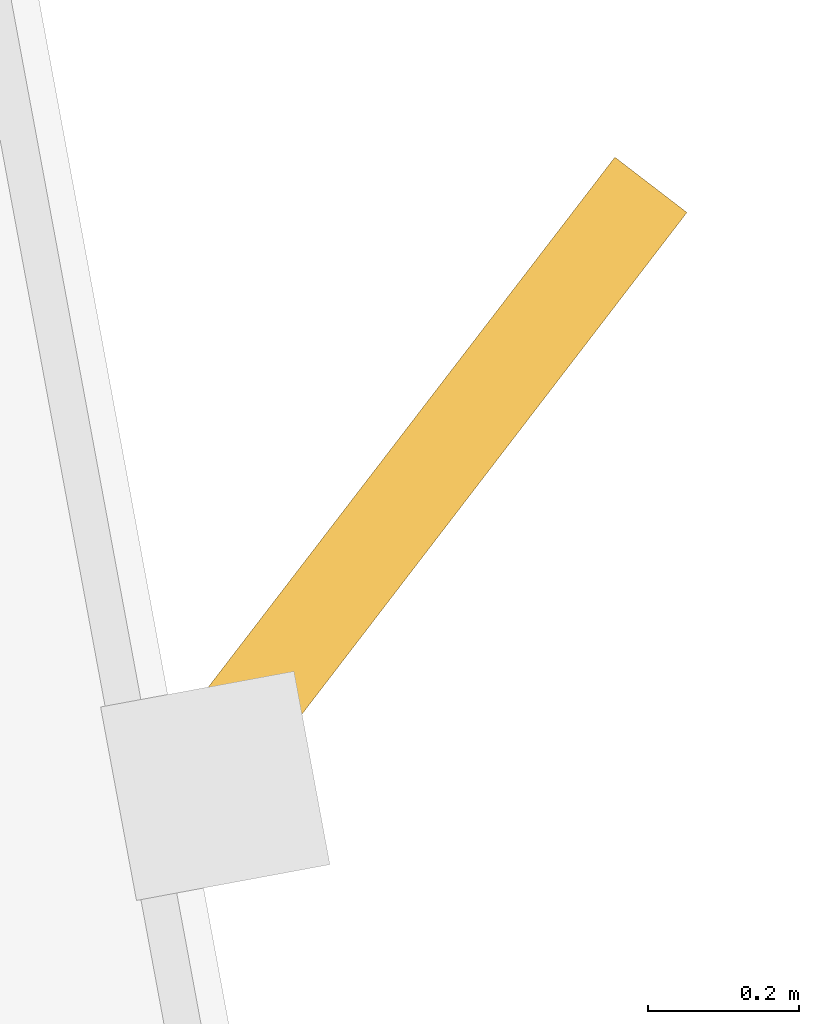
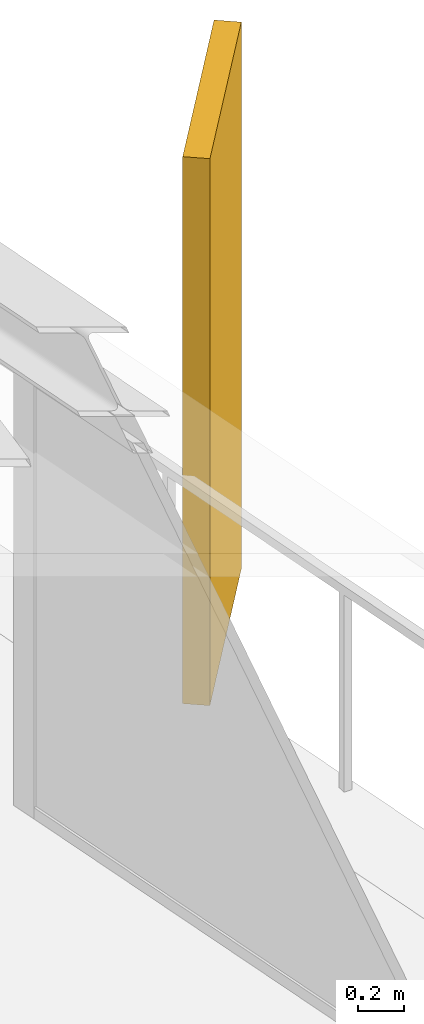
# One storey, part 14 of 14: 1 shading device.
"""IFC4 building model written with IfcOpenShell, lengths in metres."""

from ifc_helpers import new_model, si_unit, direction, frame, origin, origin_2d, place, context, subcontext, project, spatial, rectangle, extrude, material, layer, layer_set, type_object, element, save


model = new_model("IFC4")

# Units and contexts
model_context = context("Model", 3, precision=1e-05, world=origin(), true_north=direction((0.0, 1.0)))
body_context = subcontext(model_context, "Body", "Model", "MODEL_VIEW")
ifc_project = project(units=[si_unit("LENGTHUNIT", "METRE"), si_unit("AREAUNIT", "SQUARE_METRE"), si_unit("VOLUMEUNIT", "CUBIC_METRE"), si_unit("PLANEANGLEUNIT", "RADIAN"), si_unit("MASSUNIT", "GRAM", prefix="KILO")], contexts=[model_context])

# Site, building, storey
site_placement = place(None, origin())
site = spatial("IfcSite", under=ifc_project, at=site_placement, CompositionType="ELEMENT")
building_placement = place(site_placement, origin())
building = spatial("IfcBuilding", under=site, at=building_placement, Name="Rocaltana Carrier Exchange", CompositionType="ELEMENT")
storey_placement = place(building_placement, frame((0.0, 0.0, 175.360107421875)))
storey = spatial("IfcBuildingStorey", under=building, at=storey_placement, Name="L55", CompositionType="ELEMENT", Elevation=175.360107421875)

# Shading device
ifc_material = material(Name="Honed Bogota Sandstone & Concrete C45/55", Category="masonry")
ifc_layer = layer(ifc_material, 0.1201171875)
ifc_layer_set = layer_set([ifc_layer], Name="Honed Bogota Sandstone & Concrete C45/55")
shading_device_type = type_object("IfcShadingDeviceType", Name="Upper Sandstone Shading Fin 1050x120", PredefinedType="USERDEFINED", material=ifc_layer_set)
shading_device_placement = place(storey_placement, frame((9.611328125, 19.502685546875, -0.1201171875), z_axis=(0.0, 0.0, 1.0), x_axis=(0.608761429009, 0.793353340291, 0.0)))
element("IfcShadingDevice", 1, at=shading_device_placement, inside=storey, type_object=shading_device_type, Name="L55 Sandstone Vertical Fin F1-05", ObjectType="FIN", PredefinedType="USERDEFINED", context=body_context, shape_type="SweptSolid", body=[
    extrude(rectangle(XDim=1.050048828125, YDim=0.1201171875, at=origin_2d()), origin(), (0.0, 0.0, 1.0), 2.91796875),
])

save(model, "model.ifc")
